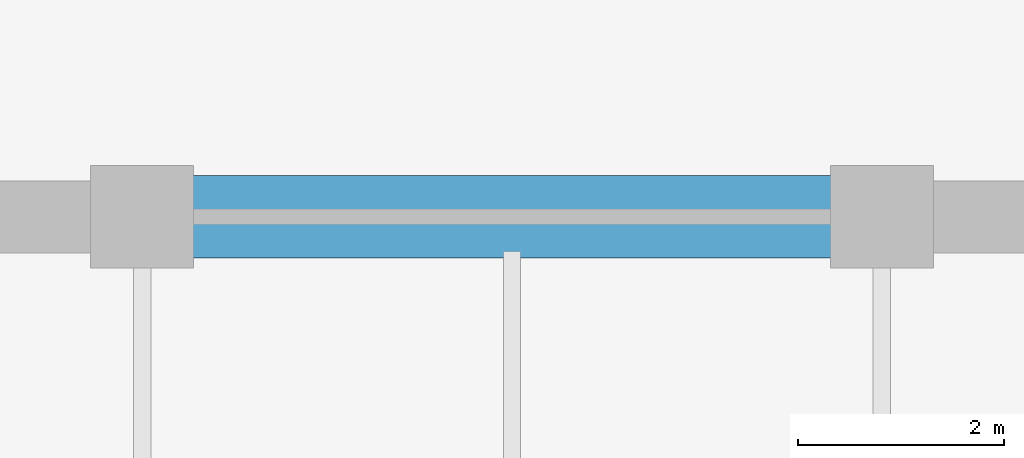
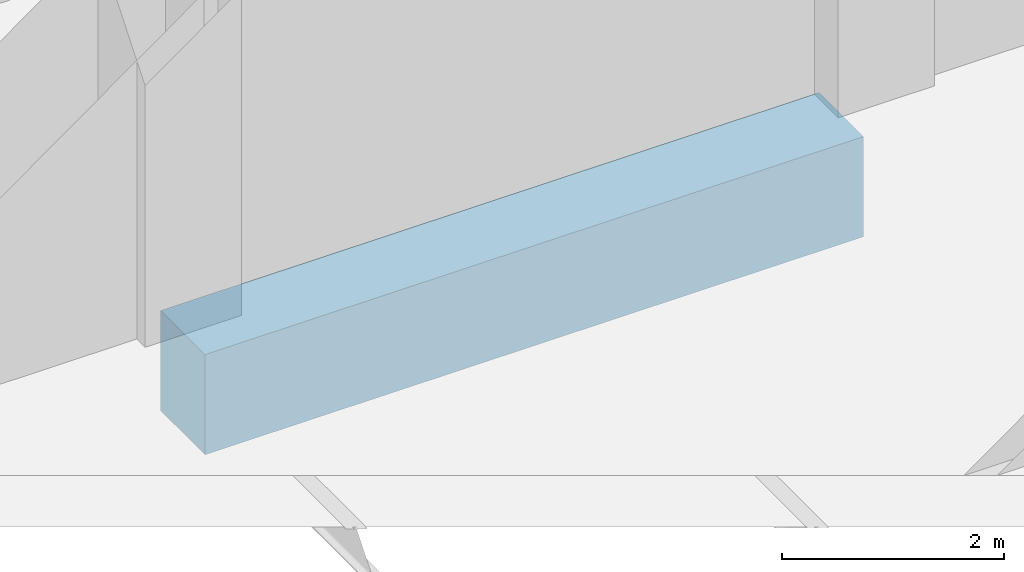
# One storey, part 7 of 26: 1 beam.
"""IFC4 building model written with IfcOpenShell, lengths in metres."""

from ifc_helpers import new_model, si_unit, direction, frame, origin, origin_2d, place, context, subcontext, project, spatial, rectangle, extrude, material, material_profile, profile_set, type_object, element, save


model = new_model("IFC4")

# Units and contexts
model_context = context("Model", 3, precision=1e-05, world=origin(), true_north=direction((0.0, 1.0)))
body_context = subcontext(model_context, "Body", "Model", "MODEL_VIEW")
ifc_project = project(units=[si_unit("LENGTHUNIT", "METRE"), si_unit("AREAUNIT", "SQUARE_METRE"), si_unit("VOLUMEUNIT", "CUBIC_METRE"), si_unit("PLANEANGLEUNIT", "RADIAN"), si_unit("MASSUNIT", "GRAM", prefix="KILO")], contexts=[model_context])

# Site, building, storey
site_placement = place(None, origin())
site = spatial("IfcSite", under=ifc_project, at=site_placement, CompositionType="ELEMENT")
building_placement = place(site_placement, origin())
building = spatial("IfcBuilding", under=site, at=building_placement, Name="Kaelvorn Grand Hotel", CompositionType="ELEMENT")
storey_placement = place(building_placement, frame((0.0, 0.0, 300.199951171875)))
storey = spatial("IfcBuildingStorey", under=building, at=storey_placement, Name="L73", CompositionType="ELEMENT", Elevation=300.199951171875)

# Beam
ifc_material = material(Name="Concrete C60/75", Category="concrete")
ifc_material_profile = material_profile(ifc_material, rectangle(XDim=0.800048828125, YDim=1.10009765625, at=origin_2d()), Name="RC LINTEL 800x1100")
ifc_profile_set = profile_set([ifc_material_profile], Name="Concrete C60/75")
beam_type = type_object("IfcBeamType", Name="BM-LIN-800x1100-C60", PredefinedType="LINTEL", material=ifc_profile_set)
beam_placement = place(storey_placement, frame((23.580078125, 29.39990234375, -0.929931640625), z_axis=(1.0, 0.0, 0.0), x_axis=(0.0, 1.0, 0.0)))
element("IfcBeam", 1, at=beam_placement, inside=storey, type_object=beam_type, Name="L73 Rear-Core Coupling Lintel Beam CB1-01", PredefinedType="LINTEL", context=body_context, shape_type="SweptSolid", body=[
    extrude(rectangle(XDim=0.800048828125, YDim=1.10009765625, at=origin_2d()), origin(), (0.0, 0.0, 1.0), 6.83984375),
])

save(model, "model.ifc")
